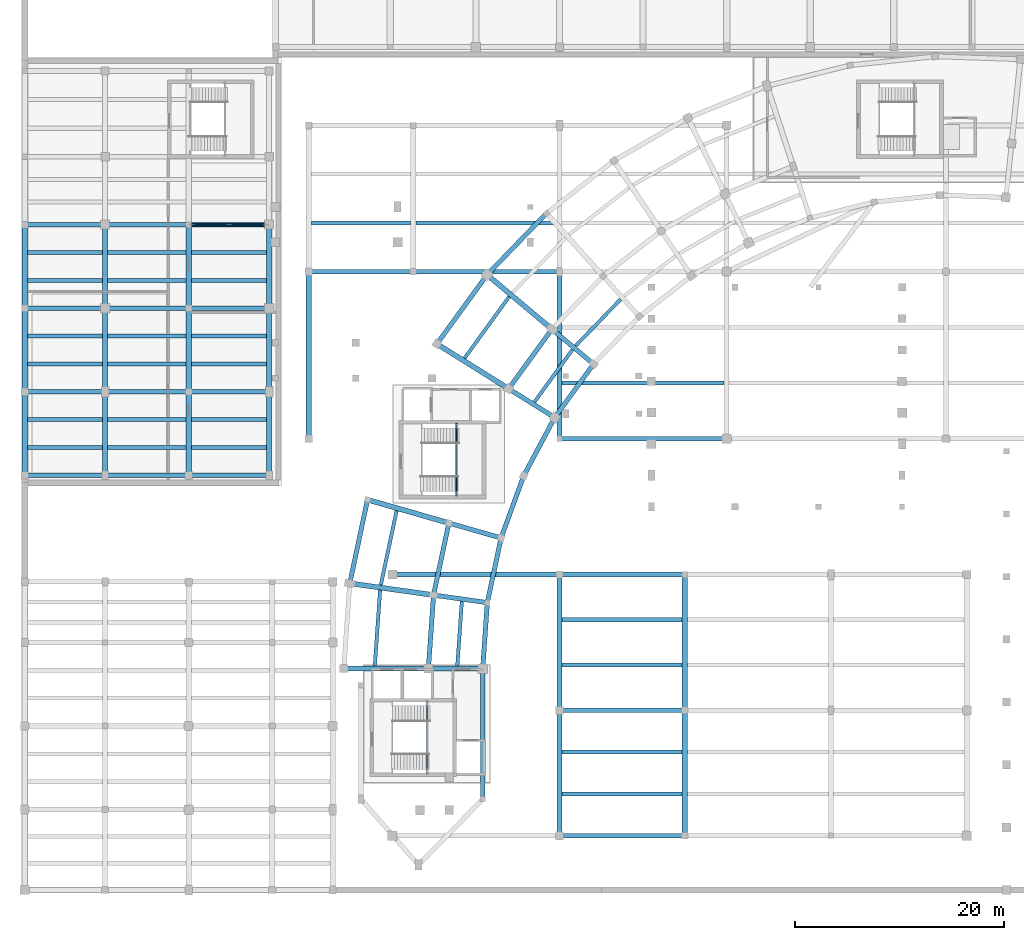
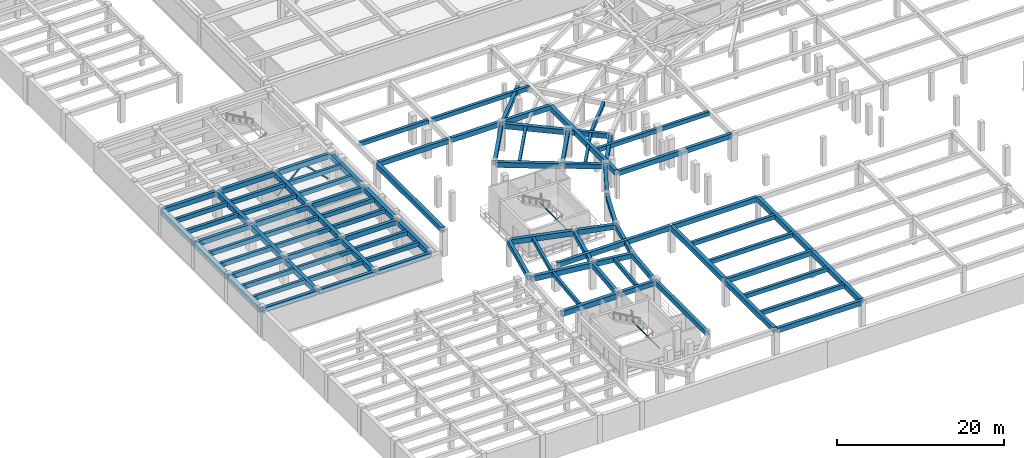
# One storey, part 4 of 35: 90 beams, 4 members.
"""IFC4 building model written with IfcOpenShell, lengths in metres."""

from ifc_helpers import new_model, si_unit, direction, frame, origin, origin_2d, place, context, subcontext, project, spatial, rectangle, hollow_rectangle, hollow_circle, extrude, material, material_profile, profile_set, type_object, element, save


model = new_model("IFC4")

# Units and contexts
model_context = context("Model", 3, precision=1e-05, world=origin(), true_north=direction((0.0, 1.0)))
body_context = subcontext(model_context, "Body", "Model", "MODEL_VIEW")
ifc_project = project(units=[si_unit("LENGTHUNIT", "METRE"), si_unit("AREAUNIT", "SQUARE_METRE"), si_unit("VOLUMEUNIT", "CUBIC_METRE"), si_unit("PLANEANGLEUNIT", "RADIAN"), si_unit("MASSUNIT", "GRAM", prefix="KILO"), si_unit("THERMODYNAMICTEMPERATUREUNIT", "KELVIN"), si_unit("POWERUNIT", "WATT")], contexts=[model_context])

# Site, building, storey
site_placement = place(None, origin())
site = spatial("IfcSite", under=ifc_project, at=site_placement, CompositionType="ELEMENT")
building_placement = place(site_placement, origin())
building = spatial("IfcBuilding", under=site, at=building_placement, Name="Solvatero Civic Police Headquarters", CompositionType="ELEMENT")
storey_placement = place(building_placement, frame((0.0, 0.0, -4.199951171875)))
storey = spatial("IfcBuildingStorey", under=building, at=storey_placement, Name="B01", CompositionType="ELEMENT", Elevation=-4.199951171875)

# Beams
ifc_material_1 = material(Name="Concrete C40/50", Category="concrete")
ifc_material_profile_1 = material_profile(ifc_material_1, rectangle(XDim=0.35009765625, YDim=0.550048828125, at=origin_2d()), Name="RC 350x550")
ifc_profile_set_1 = profile_set([ifc_material_profile_1], Name="Concrete C40/50")
beam_type_1 = type_object("IfcBeamType", Name="BM-RC-350x550", PredefinedType="BEAM", material=ifc_profile_set_1)
for number, where, z_axis, x_axis, name in (
    (1, (61.841796875, 61.342529296875, 3.625), (-0.694630534745, -0.719366679934, 0.0), (0.719366679934, -0.694630534745, 0.0), "Primary girder BM-R2-B01-ARC-CS1-B07"),
    (2, (57.236083984375, 56.52294921875, 3.625), (-0.587804529337, -0.809002988431, 0.0), (0.809002988431, -0.587804529337, 0.0), "Primary girder BM-R2-B01-ARC-CS1-B08"),
):
    element("IfcBeam", number, at=place(storey_placement, frame(where, z_axis=z_axis, x_axis=x_axis)), inside=storey, type_object=beam_type_1, Name=name, PredefinedType="BEAM", context=body_context, shape_type="SweptSolid", body=[
        extrude(rectangle(XDim=0.35009765625, YDim=0.550048828125, at=origin_2d()), origin(), (0.0, 0.0, 1.0), 6.168701171875),
    ])
for number, where, z_axis, x_axis, name in (
    (3, (51.184326171875, 61.60107421875, 3.625), (-0.587778314823, -0.809022034696, 0.0), (0.809022034696, -0.587778314823, 0.0), "Primary girder BM-R2-B01-ARC-CS2-B08"),
    (4, (40.40576171875, 41.1083984375, 3.625), (-0.207912166348, -0.978147499657, 0.0), (0.978147499657, -0.207912166348, 0.0), "Primary girder BM-R2-B01-ARC-CS2-B11"),
):
    element("IfcBeam", number, at=place(storey_placement, frame(where, z_axis=z_axis, x_axis=x_axis)), inside=storey, type_object=beam_type_1, Name=name, PredefinedType="BEAM", context=body_context, shape_type="SweptSolid", body=[
        extrude(rectangle(XDim=0.35009765625, YDim=0.550048828125, at=origin_2d()), origin(), (0.0, 0.0, 1.0), 7.27099609375),
    ])
beam_1_placement = place(storey_placement, frame((46.647705078125, 32.403076171875, 3.625), z_axis=(-0.069775957875, -0.997562687605, 0.0), x_axis=(0.997562687605, -0.069775957875, 0.0)))
element("IfcBeam", 5, at=beam_1_placement, inside=storey, type_object=beam_type_1, Name="Primary girder BM-R2-B01-ARC-CS1-B12", PredefinedType="BEAM", context=body_context, shape_type="SweptSolid", body=[
    extrude(rectangle(XDim=0.35009765625, YDim=0.550048828125, at=origin_2d()), origin(), (0.0, 0.0, 1.0), 6.168701171875),
])
beam_2_placement = place(storey_placement, frame((38.82470703125, 33.50244140625, 3.625), z_axis=(-0.069776999912, -0.997562614718, 0.0), x_axis=(0.997562614718, -0.069776999912, 0.0)))
element("IfcBeam", 6, at=beam_2_placement, inside=storey, type_object=beam_type_1, Name="Primary girder BM-R2-B01-ARC-CS2-B12", PredefinedType="BEAM", context=body_context, shape_type="SweptSolid", body=[
    extrude(rectangle(XDim=0.35009765625, YDim=0.550048828125, at=origin_2d()), origin(), (0.0, 0.0, 1.0), 7.270751953125),
])
ifc_material_profile_2 = material_profile(ifc_material_1, rectangle(XDim=0.39990234375, YDim=0.60009765625, at=origin_2d()), Name="RC 400x600")
ifc_profile_set_2 = profile_set([ifc_material_profile_2], Name="Concrete C40/50")
beam_type_2 = type_object("IfcBeamType", Name="BM-RC-400x600", PredefinedType="BEAM", material=ifc_profile_set_2)
for number, where, z_axis, x_axis, name in (
    (7, (56.25, 14.0, 3.639892578125), (1.0, 0.0, 0.0), (0.0, 1.0, 0.0), "Primary girder BM-R2-B01-SUBS-SEC-2-1-S1"),
    (8, (56.25, 18.0, 3.639892578125), (1.0, 0.0, 0.0), (0.0, 1.0, 0.0), "Primary girder BM-R2-B01-SUBS-SEC-2-1-S2"),
    (9, (56.25, 26.333251953125, 3.639892578125), (1.0, 0.0, 0.0), (0.0, 1.0, 0.0), "Primary girder BM-R2-B01-SUBS-SEC-2-2-S1"),
    (10, (56.25, 30.666748046875, 3.639892578125), (1.0, 0.0, 0.0), (0.0, 1.0, 0.0), "Primary girder BM-R2-B01-SUBS-SEC-2-2-S2"),
):
    element("IfcBeam", number, at=place(storey_placement, frame(where, z_axis=z_axis, x_axis=x_axis)), inside=storey, type_object=beam_type_2, Name=name, PredefinedType="BEAM", context=body_context, shape_type="SweptSolid", body=[
        extrude(rectangle(XDim=0.39990234375, YDim=0.60009765625, at=origin_2d()), origin(), (0.0, 0.0, 1.0), 11.5),
    ])
beam_3_placement = place(storey_placement, frame((32.25, 68.666748046875, 3.639892578125), z_axis=(1.0, 0.0, 0.0), x_axis=(0.0, 1.0, 0.0)))
element("IfcBeam", 11, at=beam_3_placement, inside=storey, type_object=beam_type_2, Name="Primary girder BM-R2-B01-SUBM-SEC-1-2-S1", PredefinedType="BEAM", context=body_context, shape_type="SweptSolid", body=[
    extrude(rectangle(XDim=0.39990234375, YDim=0.60009765625, at=origin_2d()), origin(), (0.0, 0.0, 1.0), 9.5),
])
beam_4_placement = place(storey_placement, frame((42.25, 68.666748046875, 3.639892578125), z_axis=(1.0, 0.0, 0.0), x_axis=(0.0, 1.0, 0.0)))
element("IfcBeam", 12, at=beam_4_placement, inside=storey, type_object=beam_type_2, Name="Primary girder BM-R2-B01-SUBM-SEC-2-2-S1", PredefinedType="BEAM", context=body_context, shape_type="SweptSolid", body=[
    extrude(rectangle(XDim=0.39990234375, YDim=0.60009765625, at=origin_2d()), origin(), (0.0, 0.0, 1.0), 13.5),
])
beam_5_placement = place(storey_placement, frame((56.25, 53.333251953125, 3.639892578125), z_axis=(1.0, 0.0, 0.0), x_axis=(0.0, 1.0, 0.0)))
element("IfcBeam", 13, at=beam_5_placement, inside=storey, type_object=beam_type_2, Name="Primary girder BM-R2-B01-SUBM-SEC-3-1-S1", PredefinedType="BEAM", context=body_context, shape_type="SweptSolid", body=[
    extrude(rectangle(XDim=0.39990234375, YDim=0.60009765625, at=origin_2d()), origin(), (0.0, 0.0, 1.0), 15.5),
])
for number, where, z_axis, x_axis, name in (
    (14, (5.050048828125, 47.166748046875, 3.599853515625), (1.0, 0.0, 0.0), (0.0, 1.0, 0.0), "Primary girder BM-R2-B01-V6B-SEC-1-1-S1"),
    (15, (5.050048828125, 49.833251953125, 3.599853515625), (1.0, 0.0, 0.0), (0.0, 1.0, 0.0), "Primary girder BM-R2-B01-V6B-SEC-1-1-S2"),
    (16, (5.050048828125, 55.166748046875, 3.599853515625), (1.0, 0.0, 0.0), (0.0, 1.0, 0.0), "Primary girder BM-R2-B01-V6B-SEC-1-2-S1"),
    (17, (5.050048828125, 57.833251953125, 3.599853515625), (1.0, 0.0, 0.0), (0.0, 1.0, 0.0), "Primary girder BM-R2-B01-V6B-SEC-1-2-S2"),
    (18, (5.050048828125, 63.166748046875, 3.599853515625), (1.0, 0.0, 0.0), (0.0, 1.0, 0.0), "Primary girder BM-R2-B01-V6B-SEC-1-3-S1"),
    (19, (5.050048828125, 65.833251953125, 3.599853515625), (1.0, 0.0, 0.0), (0.0, 1.0, 0.0), "Primary girder BM-R2-B01-V6B-SEC-1-3-S2"),
):
    element("IfcBeam", number, at=place(storey_placement, frame(where, z_axis=z_axis, x_axis=x_axis)), inside=storey, type_object=beam_type_2, Name=name, PredefinedType="BEAM", context=body_context, shape_type="SweptSolid", body=[
        extrude(rectangle(XDim=0.39990234375, YDim=0.60009765625, at=origin_2d()), origin(), (0.0, 0.0, 1.0), 7.199951171875),
    ])
for number, where, z_axis, x_axis, name in (
    (20, (12.75, 47.166748046875, 3.599853515625), (1.0, 0.0, 0.0), (0.0, 1.0, 0.0), "Primary girder BM-R2-B01-V6B-SEC-2-1-S1"),
    (21, (12.75, 49.833251953125, 3.599853515625), (1.0, 0.0, 0.0), (0.0, 1.0, 0.0), "Primary girder BM-R2-B01-V6B-SEC-2-1-S2"),
    (22, (12.75, 55.166748046875, 3.599853515625), (1.0, 0.0, 0.0), (0.0, 1.0, 0.0), "Primary girder BM-R2-B01-V6B-SEC-2-2-S1"),
    (23, (12.75, 57.833251953125, 3.599853515625), (1.0, 0.0, 0.0), (0.0, 1.0, 0.0), "Primary girder BM-R2-B01-V6B-SEC-2-2-S2"),
    (24, (12.75, 63.166748046875, 3.599853515625), (1.0, 0.0, 0.0), (0.0, 1.0, 0.0), "Primary girder BM-R2-B01-V6B-SEC-2-3-S1"),
    (25, (12.75, 65.833251953125, 3.599853515625), (1.0, 0.0, 0.0), (0.0, 1.0, 0.0), "Primary girder BM-R2-B01-V6B-SEC-2-3-S2"),
):
    element("IfcBeam", number, at=place(storey_placement, frame(where, z_axis=z_axis, x_axis=x_axis)), inside=storey, type_object=beam_type_2, Name=name, PredefinedType="BEAM", context=body_context, shape_type="SweptSolid", body=[
        extrude(rectangle(XDim=0.39990234375, YDim=0.60009765625, at=origin_2d()), origin(), (0.0, 0.0, 1.0), 7.5),
    ])
for number, where, z_axis, x_axis, name in (
    (26, (20.75, 47.166748046875, 3.599853515625), (1.0, 0.0, 0.0), (0.0, 1.0, 0.0), "Primary girder BM-R2-B01-V6B-SEC-3-1-S1"),
    (27, (20.75, 49.833251953125, 3.599853515625), (1.0, 0.0, 0.0), (0.0, 1.0, 0.0), "Primary girder BM-R2-B01-V6B-SEC-3-1-S2"),
    (28, (20.75, 55.166748046875, 3.599853515625), (1.0, 0.0, 0.0), (0.0, 1.0, 0.0), "Primary girder BM-R2-B01-V6B-SEC-3-2-S1"),
    (29, (20.75, 57.833251953125, 3.599853515625), (1.0, 0.0, 0.0), (0.0, 1.0, 0.0), "Primary girder BM-R2-B01-V6B-SEC-3-2-S2"),
    (30, (20.75, 63.166748046875, 3.599853515625), (1.0, 0.0, 0.0), (0.0, 1.0, 0.0), "Primary girder BM-R2-B01-V6B-SEC-3-3-S1"),
    (31, (20.75, 65.833251953125, 3.599853515625), (1.0, 0.0, 0.0), (0.0, 1.0, 0.0), "Primary girder BM-R2-B01-V6B-SEC-3-3-S2"),
):
    element("IfcBeam", number, at=place(storey_placement, frame(where, z_axis=z_axis, x_axis=x_axis)), inside=storey, type_object=beam_type_2, Name=name, PredefinedType="BEAM", context=body_context, shape_type="SweptSolid", body=[
        extrude(rectangle(XDim=0.39990234375, YDim=0.60009765625, at=origin_2d()), origin(), (0.0, 0.0, 1.0), 7.199951171875),
    ])
ifc_material_profile_3 = material_profile(ifc_material_1, rectangle(XDim=0.449951171875, YDim=0.699951171875, at=origin_2d()), Name="RC 450x700")
ifc_profile_set_3 = profile_set([ifc_material_profile_3], Name="Concrete C40/50")
beam_type_3 = type_object("IfcBeamType", Name="BM-RC-450x700", PredefinedType="BEAM", material=ifc_profile_set_3)
for number, where, z_axis, x_axis, name in (
    (32, (56.159912109375, 10.0, 3.58984375), (1.0, 0.0, 0.0), (0.0, 1.0, 0.0), "Primary girder BM-R2-B01-SUBS-GX-2-1"),
    (33, (56.159912109375, 22.0, 3.58984375), (1.0, 0.0, 0.0), (0.0, 1.0, 0.0), "Primary girder BM-R2-B01-SUBS-GX-2-2"),
):
    element("IfcBeam", number, at=place(storey_placement, frame(where, z_axis=z_axis, x_axis=x_axis)), inside=storey, type_object=beam_type_3, Name=name, PredefinedType="BEAM", context=body_context, shape_type="SweptSolid", body=[
        extrude(rectangle(XDim=0.449951171875, YDim=0.699951171875, at=origin_2d()), origin(), (0.0, 0.0, 1.0), 11.68017578125),
    ])
beam_6_placement = place(storey_placement, frame((40.159912109375, 35.0, 3.58984375), z_axis=(1.0, 0.0, 0.0), x_axis=(0.0, 1.0, 0.0)))
element("IfcBeam", 34, at=beam_6_placement, inside=storey, type_object=beam_type_3, Name="Primary girder BM-R2-B01-SUBS-GX-1-3", PredefinedType="BEAM", context=body_context, shape_type="SweptSolid", body=[
    extrude(rectangle(XDim=0.449951171875, YDim=0.699951171875, at=origin_2d()), origin(), (0.0, 0.0, 1.0), 15.68017578125),
])
beam_7_placement = place(storey_placement, frame((56.159912109375, 35.0, 3.58984375), z_axis=(1.0, 0.0, 0.0), x_axis=(0.0, 1.0, 0.0)))
element("IfcBeam", 35, at=beam_7_placement, inside=storey, type_object=beam_type_3, Name="Primary girder BM-R2-B01-SUBS-GX-2-3", PredefinedType="BEAM", context=body_context, shape_type="SweptSolid", body=[
    extrude(rectangle(XDim=0.449951171875, YDim=0.699951171875, at=origin_2d()), origin(), (0.0, 0.0, 1.0), 11.68017578125),
])
beam_8_placement = place(storey_placement, frame((56.159912109375, 48.0, 3.58984375), z_axis=(1.0, 0.0, 0.0), x_axis=(0.0, 1.0, 0.0)))
element("IfcBeam", 36, at=beam_8_placement, inside=storey, type_object=beam_type_3, Name="Primary girder BM-R2-B01-SUBM-GX-3-1", PredefinedType="BEAM", context=body_context, shape_type="SweptSolid", body=[
    extrude(rectangle(XDim=0.449951171875, YDim=0.699951171875, at=origin_2d()), origin(), (0.0, 0.0, 1.0), 15.68017578125),
])
beam_9_placement = place(storey_placement, frame((32.159912109375, 64.0, 3.58984375), z_axis=(1.0, 0.0, 0.0), x_axis=(0.0, 1.0, 0.0)))
element("IfcBeam", 37, at=beam_9_placement, inside=storey, type_object=beam_type_3, Name="Primary girder BM-R2-B01-SUBM-GX-1-2", PredefinedType="BEAM", context=body_context, shape_type="SweptSolid", body=[
    extrude(rectangle(XDim=0.449951171875, YDim=0.699951171875, at=origin_2d()), origin(), (0.0, 0.0, 1.0), 9.68017578125),
])
beam_10_placement = place(storey_placement, frame((42.159912109375, 64.0, 3.58984375), z_axis=(1.0, 0.0, 0.0), x_axis=(0.0, 1.0, 0.0)))
element("IfcBeam", 38, at=beam_10_placement, inside=storey, type_object=beam_type_3, Name="Primary girder BM-R2-B01-SUBM-GX-2-2", PredefinedType="BEAM", context=body_context, shape_type="SweptSolid", body=[
    extrude(rectangle(XDim=0.449951171875, YDim=0.699951171875, at=origin_2d()), origin(), (0.0, 0.0, 1.0), 13.68017578125),
])
beam_11_placement = place(storey_placement, frame((4.9599609375, 44.5, 3.550048828125), z_axis=(1.0, 0.0, 0.0), x_axis=(0.0, 1.0, 0.0)))
element("IfcBeam", 39, at=beam_11_placement, inside=storey, type_object=beam_type_3, Name="Primary girder BM-R2-B01-V6B-GX-1-1", PredefinedType="BEAM", context=body_context, shape_type="SweptSolid", body=[
    extrude(rectangle(XDim=0.449951171875, YDim=0.699951171875, at=origin_2d()), origin(), (0.0, 0.0, 1.0), 7.380126953125),
])
beam_12_placement = place(storey_placement, frame((12.659912109375, 44.5, 3.550048828125), z_axis=(1.0, 0.0, 0.0), x_axis=(0.0, 1.0, 0.0)))
element("IfcBeam", 40, at=beam_12_placement, inside=storey, type_object=beam_type_3, Name="Primary girder BM-R2-B01-V6B-GX-2-1", PredefinedType="BEAM", context=body_context, shape_type="SweptSolid", body=[
    extrude(rectangle(XDim=0.449951171875, YDim=0.699951171875, at=origin_2d()), origin(), (0.0, 0.0, 1.0), 7.68017578125),
])
for number, where, z_axis, x_axis, name in (
    (41, (20.659912109375, 44.5, 3.550048828125), (1.0, 0.0, 0.0), (0.0, 1.0, 0.0), "Primary girder BM-R2-B01-V6B-GX-3-1"),
    (42, (4.9599609375, 52.5, 3.550048828125), (1.0, 0.0, 0.0), (0.0, 1.0, 0.0), "Primary girder BM-R2-B01-V6B-GX-1-2"),
):
    element("IfcBeam", number, at=place(storey_placement, frame(where, z_axis=z_axis, x_axis=x_axis)), inside=storey, type_object=beam_type_3, Name=name, PredefinedType="BEAM", context=body_context, shape_type="SweptSolid", body=[
        extrude(rectangle(XDim=0.449951171875, YDim=0.699951171875, at=origin_2d()), origin(), (0.0, 0.0, 1.0), 7.380126953125),
    ])
beam_13_placement = place(storey_placement, frame((12.659912109375, 52.5, 3.550048828125), z_axis=(1.0, 0.0, 0.0), x_axis=(0.0, 1.0, 0.0)))
element("IfcBeam", 43, at=beam_13_placement, inside=storey, type_object=beam_type_3, Name="Primary girder BM-R2-B01-V6B-GX-2-2", PredefinedType="BEAM", context=body_context, shape_type="SweptSolid", body=[
    extrude(rectangle(XDim=0.449951171875, YDim=0.699951171875, at=origin_2d()), origin(), (0.0, 0.0, 1.0), 7.68017578125),
])
for number, where, z_axis, x_axis, name in (
    (44, (20.659912109375, 52.5, 3.550048828125), (1.0, 0.0, 0.0), (0.0, 1.0, 0.0), "Primary girder BM-R2-B01-V6B-GX-3-2"),
    (45, (4.9599609375, 60.5, 3.550048828125), (1.0, 0.0, 0.0), (0.0, 1.0, 0.0), "Primary girder BM-R2-B01-V6B-GX-1-3"),
):
    element("IfcBeam", number, at=place(storey_placement, frame(where, z_axis=z_axis, x_axis=x_axis)), inside=storey, type_object=beam_type_3, Name=name, PredefinedType="BEAM", context=body_context, shape_type="SweptSolid", body=[
        extrude(rectangle(XDim=0.449951171875, YDim=0.699951171875, at=origin_2d()), origin(), (0.0, 0.0, 1.0), 7.380126953125),
    ])
beam_14_placement = place(storey_placement, frame((12.659912109375, 60.5, 3.550048828125), z_axis=(1.0, 0.0, 0.0), x_axis=(0.0, 1.0, 0.0)))
element("IfcBeam", 46, at=beam_14_placement, inside=storey, type_object=beam_type_3, Name="Primary girder BM-R2-B01-V6B-GX-2-3", PredefinedType="BEAM", context=body_context, shape_type="SweptSolid", body=[
    extrude(rectangle(XDim=0.449951171875, YDim=0.699951171875, at=origin_2d()), origin(), (0.0, 0.0, 1.0), 7.68017578125),
])
for number, where, z_axis, x_axis, name in (
    (47, (20.659912109375, 60.5, 3.550048828125), (1.0, 0.0, 0.0), (0.0, 1.0, 0.0), "Primary girder BM-R2-B01-V6B-GX-3-3"),
    (48, (4.9599609375, 68.5, 3.550048828125), (1.0, 0.0, 0.0), (0.0, 1.0, 0.0), "Primary girder BM-R2-B01-V6B-GX-1-4"),
):
    element("IfcBeam", number, at=place(storey_placement, frame(where, z_axis=z_axis, x_axis=x_axis)), inside=storey, type_object=beam_type_3, Name=name, PredefinedType="BEAM", context=body_context, shape_type="SweptSolid", body=[
        extrude(rectangle(XDim=0.449951171875, YDim=0.699951171875, at=origin_2d()), origin(), (0.0, 0.0, 1.0), 7.380126953125),
    ])
beam_15_placement = place(storey_placement, frame((12.659912109375, 68.5, 3.550048828125), z_axis=(1.0, 0.0, 0.0), x_axis=(0.0, 1.0, 0.0)))
element("IfcBeam", 49, at=beam_15_placement, inside=storey, type_object=beam_type_3, Name="Primary girder BM-R2-B01-V6B-GX-2-4", PredefinedType="BEAM", context=body_context, shape_type="SweptSolid", body=[
    extrude(rectangle(XDim=0.449951171875, YDim=0.699951171875, at=origin_2d()), origin(), (0.0, 0.0, 1.0), 7.68017578125),
])
beam_16_placement = place(storey_placement, frame((20.659912109375, 68.5, 3.550048828125), z_axis=(1.0, 0.0, 0.0), x_axis=(0.0, 1.0, 0.0)))
element("IfcBeam", 50, at=beam_16_placement, inside=storey, type_object=beam_type_3, Name="Primary girder BM-R2-B01-V6B-GX-3-4", PredefinedType="BEAM", context=body_context, shape_type="SweptSolid", body=[
    extrude(rectangle(XDim=0.449951171875, YDim=0.699951171875, at=origin_2d()), origin(), (0.0, 0.0, 1.0), 7.380126953125),
])
for number, where, z_axis, x_axis, name in (
    (51, (59.13720703125, 55.253173828125, 3.550048828125), (-0.766006367424, 0.642832983804, 0.0), (-0.642832983804, -0.766006367424, 0.0), "Primary girder BM-R2-B01-ARC-RAD1-S07"),
    (52, (55.4052734375, 50.11669921875, 3.550048828125), (-0.848051702079, 0.529913493506, 0.0), (-0.529913493506, -0.848051702079, 0.0), "Primary girder BM-R2-B01-ARC-RAD1-S08"),
    (53, (50.2529296875, 38.544189453125, 3.550048828125), (-0.96125541042, 0.275659275081, 0.0), (-0.275659275081, -0.96125541042, 0.0), "Primary girder BM-R2-B01-ARC-RAD1-S10"),
):
    element("IfcBeam", number, at=place(storey_placement, frame(where, z_axis=z_axis, x_axis=x_axis)), inside=storey, type_object=beam_type_3, Name=name, PredefinedType="BEAM", context=body_context, shape_type="SweptSolid", body=[
        extrude(rectangle(XDim=0.449951171875, YDim=0.699951171875, at=origin_2d()), origin(), (0.0, 0.0, 1.0), 4.8798828125),
    ])
beam_17_placement = place(storey_placement, frame((48.932861328125, 32.333740234375, 3.550048828125), z_axis=(-0.990267139855, 0.139179710169, 0.0), x_axis=(-0.139179710169, -0.990267139855, 0.0)))
element("IfcBeam", 54, at=beam_17_placement, inside=storey, type_object=beam_type_3, Name="Primary girder BM-R2-B01-ARC-RAD1-S11", PredefinedType="BEAM", context=body_context, shape_type="SweptSolid", body=[
    extrude(rectangle(XDim=0.449951171875, YDim=0.699951171875, at=origin_2d()), origin(), (0.0, 0.0, 1.0), 4.880126953125),
])
beam_18_placement = place(storey_placement, frame((48.489990234375, 26.0, 3.550048828125), z_axis=(-1.0, 0.0, 0.0), x_axis=(0.0, -1.0, 0.0)))
element("IfcBeam", 55, at=beam_18_placement, inside=storey, type_object=beam_type_3, Name="Primary girder BM-R2-B01-ARC-RAD1-S12", PredefinedType="BEAM", context=body_context, shape_type="SweptSolid", body=[
    extrude(rectangle(XDim=0.449951171875, YDim=0.699951171875, at=origin_2d()), origin(), (0.0, 0.0, 1.0), 4.8798828125),
])
beam_19_placement = place(storey_placement, frame((54.644287109375, 69.47021484375, 3.550048828125), z_axis=(-0.69467153859, -0.719327083789, 0.0), x_axis=(0.719327083789, -0.69467153859, 0.0)))
element("IfcBeam", 56, at=beam_19_placement, inside=storey, type_object=beam_type_3, Name="Primary girder BM-R2-B01-ARC-COUT-B07", PredefinedType="BEAM", context=body_context, shape_type="SweptSolid", body=[
    extrude(rectangle(XDim=0.449951171875, YDim=0.699951171875, at=origin_2d()), origin(), (0.0, 0.0, 1.0), 7.8623046875),
])
beam_20_placement = place(storey_placement, frame((59.166015625, 55.02099609375, 3.550048828125), z_axis=(-0.587797074341, -0.809008405022, 0.0), x_axis=(0.809008405022, -0.587797074341, 0.0)))
element("IfcBeam", 57, at=beam_20_placement, inside=storey, type_object=beam_type_3, Name="Primary girder BM-R2-B01-ARC-CIN-B08", PredefinedType="BEAM", context=body_context, shape_type="SweptSolid", body=[
    extrude(rectangle(XDim=0.449951171875, YDim=0.699951171875, at=origin_2d()), origin(), (0.0, 0.0, 1.0), 6.007080078125),
])
beam_21_placement = place(storey_placement, frame((55.1826171875, 58.363525390625, 3.550048828125), z_axis=(-0.587805098248, -0.809002575072, 0.0), x_axis=(0.809002575072, -0.587805098248, 0.0)))
element("IfcBeam", 58, at=beam_21_placement, inside=storey, type_object=beam_type_3, Name="Primary girder BM-R2-B01-ARC-CMID-B08", PredefinedType="BEAM", context=body_context, shape_type="SweptSolid", body=[
    extrude(rectangle(XDim=0.449951171875, YDim=0.699951171875, at=origin_2d()), origin(), (0.0, 0.0, 1.0), 6.732666015625),
])
beam_22_placement = place(storey_placement, frame((48.9775390625, 63.570068359375, 3.550048828125), z_axis=(-0.587798685383, -0.809007234493, 0.0), x_axis=(0.809007234493, -0.587798685383, 0.0)))
element("IfcBeam", 59, at=beam_22_placement, inside=storey, type_object=beam_type_3, Name="Primary girder BM-R2-B01-ARC-COUT-B08", PredefinedType="BEAM", context=body_context, shape_type="SweptSolid", body=[
    extrude(rectangle(XDim=0.449951171875, YDim=0.699951171875, at=origin_2d()), origin(), (0.0, 0.0, 1.0), 7.862548828125),
])
beam_23_placement = place(storey_placement, frame((55.4658203125, 49.890380859375, 3.550048828125), z_axis=(-0.469492983481, -0.88293620294, 0.0), x_axis=(0.88293620294, -0.469492983481, 0.0)))
element("IfcBeam", 60, at=beam_23_placement, inside=storey, type_object=beam_type_3, Name="Primary girder BM-R2-B01-ARC-CIN-B09", PredefinedType="BEAM", context=body_context, shape_type="SweptSolid", body=[
    extrude(rectangle(XDim=0.449951171875, YDim=0.699951171875, at=origin_2d()), origin(), (0.0, 0.0, 1.0), 6.006591796875),
])
beam_24_placement = place(storey_placement, frame((52.51611328125, 44.295166015625, 3.550048828125), z_axis=(-0.342056325961, -0.939679450595, 0.0), x_axis=(0.939679450595, -0.342056325961, 0.0)))
element("IfcBeam", 61, at=beam_24_placement, inside=storey, type_object=beam_type_3, Name="Primary girder BM-R2-B01-ARC-CIN-B10", PredefinedType="BEAM", context=body_context, shape_type="SweptSolid", body=[
    extrude(rectangle(XDim=0.449951171875, YDim=0.699951171875, at=origin_2d()), origin(), (0.0, 0.0, 1.0), 6.0068359375),
])
beam_25_placement = place(storey_placement, frame((50.37353515625, 38.34375, 3.550048828125), z_axis=(-0.207927292906, -0.978144284278, 0.0), x_axis=(0.978144284278, -0.207927292906, 0.0)))
element("IfcBeam", 62, at=beam_25_placement, inside=storey, type_object=beam_type_3, Name="Primary girder BM-R2-B01-ARC-CIN-B11", PredefinedType="BEAM", context=body_context, shape_type="SweptSolid", body=[
    extrude(rectangle(XDim=0.449951171875, YDim=0.699951171875, at=origin_2d()), origin(), (0.0, 0.0, 1.0), 6.007080078125),
])
beam_26_placement = place(storey_placement, frame((45.375, 39.777099609375, 3.550048828125), z_axis=(-0.207929014162, -0.978143918383, 0.0), x_axis=(0.978143918383, -0.207929014162, 0.0)))
element("IfcBeam", 63, at=beam_26_placement, inside=storey, type_object=beam_type_3, Name="Primary girder BM-R2-B01-ARC-CMID-B11", PredefinedType="BEAM", context=body_context, shape_type="SweptSolid", body=[
    extrude(rectangle(XDim=0.449951171875, YDim=0.699951171875, at=origin_2d()), origin(), (0.0, 0.0, 1.0), 6.732666015625),
])
beam_27_placement = place(storey_placement, frame((37.588623046875, 42.009521484375, 3.550048828125), z_axis=(-0.20789589415, -0.978150958286, 0.0), x_axis=(0.978150958286, -0.20789589415, 0.0)))
element("IfcBeam", 64, at=beam_27_placement, inside=storey, type_object=beam_type_3, Name="Primary girder BM-R2-B01-ARC-COUT-B11", PredefinedType="BEAM", context=body_context, shape_type="SweptSolid", body=[
    extrude(rectangle(XDim=0.449951171875, YDim=0.699951171875, at=origin_2d()), origin(), (0.0, 0.0, 1.0), 7.8623046875),
])
beam_28_placement = place(storey_placement, frame((49.080078125, 32.15185546875, 3.550048828125), z_axis=(-0.06974500028, -0.997564852496, 0.0), x_axis=(0.997564852496, -0.06974500028, 0.0)))
element("IfcBeam", 65, at=beam_28_placement, inside=storey, type_object=beam_type_3, Name="Primary girder BM-R2-B01-ARC-CIN-B12", PredefinedType="BEAM", context=body_context, shape_type="SweptSolid", body=[
    extrude(rectangle(XDim=0.449951171875, YDim=0.699951171875, at=origin_2d()), origin(), (0.0, 0.0, 1.0), 6.0068359375),
])
beam_29_placement = place(storey_placement, frame((43.9306640625, 32.87548828125, 3.550048828125), z_axis=(-0.069736742819, -0.997565429784, 0.0), x_axis=(0.997565429784, -0.069736742819, 0.0)))
element("IfcBeam", 66, at=beam_29_placement, inside=storey, type_object=beam_type_3, Name="Primary girder BM-R2-B01-ARC-CMID-B12", PredefinedType="BEAM", context=body_context, shape_type="SweptSolid", body=[
    extrude(rectangle(XDim=0.449951171875, YDim=0.699951171875, at=origin_2d()), origin(), (0.0, 0.0, 1.0), 6.732177734375),
])
beam_30_placement = place(storey_placement, frame((48.64990234375, 13.659912109375, 3.550048828125), z_axis=(0.0, 1.0, 0.0), x_axis=(-1.0, 0.0, 0.0)))
element("IfcBeam", 67, at=beam_30_placement, inside=storey, type_object=beam_type_3, Name="Primary girder BM-R2-B01-PROW-E", PredefinedType="BEAM", context=body_context, shape_type="SweptSolid", body=[
    extrude(rectangle(XDim=0.449951171875, YDim=0.699951171875, at=origin_2d()), origin(), (0.0, 0.0, 1.0), 12.18017578125),
])
ifc_material_profile_4 = material_profile(ifc_material_1, rectangle(XDim=0.5, YDim=0.75, at=origin_2d()), Name="RC 500x750")
ifc_profile_set_4 = profile_set([ifc_material_profile_4], Name="Concrete C40/50")
beam_type_4 = type_object("IfcBeamType", Name="BM-RC-500x750", PredefinedType="BEAM", material=ifc_profile_set_4)
beam_31_placement = place(storey_placement, frame((56.0, 10.159912109375, 3.56494140625), z_axis=(0.0, 1.0, 0.0), x_axis=(-1.0, 0.0, 0.0)))
element("IfcBeam", 68, at=beam_31_placement, inside=storey, type_object=beam_type_4, Name="Primary girder BM-R2-B01-SUBS-GY-2-1", PredefinedType="BEAM", context=body_context, shape_type="SweptSolid", body=[
    extrude(rectangle(XDim=0.5, YDim=0.75, at=origin_2d()), origin(), (0.0, 0.0, 1.0), 11.68017578125),
])
beam_32_placement = place(storey_placement, frame((56.0, 22.159912109375, 3.56494140625), z_axis=(0.0, 1.0, 0.0), x_axis=(-1.0, 0.0, 0.0)))
element("IfcBeam", 69, at=beam_32_placement, inside=storey, type_object=beam_type_4, Name="Primary girder BM-R2-B01-SUBS-GY-2-2", PredefinedType="BEAM", context=body_context, shape_type="SweptSolid", body=[
    extrude(rectangle(XDim=0.5, YDim=0.75, at=origin_2d()), origin(), (0.0, 0.0, 1.0), 12.68017578125),
])
beam_33_placement = place(storey_placement, frame((68.0, 10.159912109375, 3.56494140625), z_axis=(0.0, 1.0, 0.0), x_axis=(-1.0, 0.0, 0.0)))
element("IfcBeam", 70, at=beam_33_placement, inside=storey, type_object=beam_type_4, Name="Primary girder BM-R2-B01-SUBS-GY-3-1", PredefinedType="BEAM", context=body_context, shape_type="SweptSolid", body=[
    extrude(rectangle(XDim=0.5, YDim=0.75, at=origin_2d()), origin(), (0.0, 0.0, 1.0), 11.68017578125),
])
beam_34_placement = place(storey_placement, frame((68.0, 22.159912109375, 3.56494140625), z_axis=(0.0, 1.0, 0.0), x_axis=(-1.0, 0.0, 0.0)))
element("IfcBeam", 71, at=beam_34_placement, inside=storey, type_object=beam_type_4, Name="Primary girder BM-R2-B01-SUBS-GY-3-2", PredefinedType="BEAM", context=body_context, shape_type="SweptSolid", body=[
    extrude(rectangle(XDim=0.5, YDim=0.75, at=origin_2d()), origin(), (0.0, 0.0, 1.0), 12.68017578125),
])
for number, where, z_axis, x_axis, name in (
    (72, (32.0, 48.159912109375, 3.56494140625), (0.0, 1.0, 0.0), (-1.0, 0.0, 0.0), "Primary girder BM-R2-B01-SUBM-GY-1-1"),
    (73, (56.0, 48.159912109375, 3.56494140625), (0.0, 1.0, 0.0), (-1.0, 0.0, 0.0), "Primary girder BM-R2-B01-SUBM-GY-3-1"),
):
    element("IfcBeam", number, at=place(storey_placement, frame(where, z_axis=z_axis, x_axis=x_axis)), inside=storey, type_object=beam_type_4, Name=name, PredefinedType="BEAM", context=body_context, shape_type="SweptSolid", body=[
        extrude(rectangle(XDim=0.5, YDim=0.75, at=origin_2d()), origin(), (0.0, 0.0, 1.0), 15.68017578125),
    ])
for number, where, z_axis, x_axis, name in (
    (74, (4.800048828125, 44.659912109375, 3.52490234375), (0.0, 1.0, 0.0), (-1.0, 0.0, 0.0), "Primary girder BM-R2-B01-V6B-GY-1-1"),
    (75, (4.800048828125, 52.659912109375, 3.52490234375), (0.0, 1.0, 0.0), (-1.0, 0.0, 0.0), "Primary girder BM-R2-B01-V6B-GY-1-2"),
    (76, (4.800048828125, 60.659912109375, 3.52490234375), (0.0, 1.0, 0.0), (-1.0, 0.0, 0.0), "Primary girder BM-R2-B01-V6B-GY-1-3"),
    (77, (12.5, 44.659912109375, 3.52490234375), (0.0, 1.0, 0.0), (-1.0, 0.0, 0.0), "Primary girder BM-R2-B01-V6B-GY-2-1"),
    (78, (12.5, 52.659912109375, 3.52490234375), (0.0, 1.0, 0.0), (-1.0, 0.0, 0.0), "Primary girder BM-R2-B01-V6B-GY-2-2"),
    (79, (12.5, 60.659912109375, 3.52490234375), (0.0, 1.0, 0.0), (-1.0, 0.0, 0.0), "Primary girder BM-R2-B01-V6B-GY-2-3"),
    (80, (20.5, 44.659912109375, 3.52490234375), (0.0, 1.0, 0.0), (-1.0, 0.0, 0.0), "Primary girder BM-R2-B01-V6B-GY-3-1"),
    (81, (20.5, 52.659912109375, 3.52490234375), (0.0, 1.0, 0.0), (-1.0, 0.0, 0.0), "Primary girder BM-R2-B01-V6B-GY-3-2"),
    (82, (20.5, 60.659912109375, 3.52490234375), (0.0, 1.0, 0.0), (-1.0, 0.0, 0.0), "Primary girder BM-R2-B01-V6B-GY-3-3"),
    (83, (28.199951171875, 44.659912109375, 3.52490234375), (0.0, 1.0, 0.0), (-1.0, 0.0, 0.0), "Primary girder BM-R2-B01-V6B-GY-4-1"),
    (84, (28.199951171875, 52.659912109375, 3.52490234375), (0.0, 1.0, 0.0), (-1.0, 0.0, 0.0), "Primary girder BM-R2-B01-V6B-GY-4-2"),
    (85, (28.199951171875, 60.659912109375, 3.52490234375), (0.0, 1.0, 0.0), (-1.0, 0.0, 0.0), "Primary girder BM-R2-B01-V6B-GY-4-3"),
):
    element("IfcBeam", number, at=place(storey_placement, frame(where, z_axis=z_axis, x_axis=x_axis)), inside=storey, type_object=beam_type_4, Name=name, PredefinedType="BEAM", context=body_context, shape_type="SweptSolid", body=[
        extrude(rectangle(XDim=0.5, YDim=0.75, at=origin_2d()), origin(), (0.0, 0.0, 1.0), 7.68017578125),
    ])
for number, where, z_axis, x_axis, name in (
    (86, (55.15380859375, 58.595703125, 3.52490234375), (-0.766033025498, 0.642801216431, 0.0), (-0.642801216431, -0.766033025498, 0.0), "Primary girder BM-R2-B01-ARC-RAD2-S07"),
    (87, (50.99560546875, 52.872314453125, 3.52490234375), (-0.848049425076, 0.529917137512, 0.0), (-0.529917137512, -0.848049425076, 0.0), "Primary girder BM-R2-B01-ARC-RAD2-S08"),
    (88, (45.25439453125, 39.9775390625, 3.52490234375), (-0.961258242424, 0.275649399368, 0.0), (-0.275649399368, -0.961258242424, 0.0), "Primary girder BM-R2-B01-ARC-RAD2-S10"),
    (89, (43.783447265625, 33.0576171875, 3.52490234375), (-0.990272596816, 0.139140878229, 0.0), (-0.139140878229, -0.990272596816, 0.0), "Primary girder BM-R2-B01-ARC-RAD2-S11"),
    (90, (43.2900390625, 26.0, 3.52490234375), (-1.0, 0.0, 0.0), (0.0, -1.0, 0.0), "Primary girder BM-R2-B01-ARC-RAD2-S12"),
):
    element("IfcBeam", number, at=place(storey_placement, frame(where, z_axis=z_axis, x_axis=x_axis)), inside=storey, type_object=beam_type_4, Name=name, PredefinedType="BEAM", context=body_context, shape_type="SweptSolid", body=[
        extrude(rectangle(XDim=0.5, YDim=0.75, at=origin_2d()), origin(), (0.0, 0.0, 1.0), 7.780029296875),
    ])

# Members
ifc_material_2 = material(Name="Steel S355", Category="steel")
ifc_material_profile_5 = material_profile(ifc_material_2, hollow_circle(Radius=0.109619140625, WallThickness=0.012451171875, at=origin_2d()), Name="CHS 219.1x12.5")
ifc_profile_set_5 = profile_set([ifc_material_profile_5], Name="Steel S355")
member_type_1 = type_object("IfcMemberType", Name="MB-BR-CHS219", PredefinedType="BRACE", material=ifc_profile_set_5)
member_1_placement = place(storey_placement, frame((20.800048828125, 68.5, 0.119873046875), z_axis=(0.719144055871, 0.0, 0.694861012653), x_axis=(0.0, 1.0, 0.0)))
element("IfcMember", 91, at=member_1_placement, inside=storey, type_object=member_type_1, Name="Chevron Brace BR-V6-INT2 Left B01", PredefinedType="BRACE", context=body_context, shape_type="SweptSolid", body=[
    extrude(hollow_circle(Radius=0.109619140625, WallThickness=0.012451171875, at=origin_2d()), origin(), (0.0, 0.0, 1.0), 4.9365234375),
])
member_2_placement = place(storey_placement, frame((27.89990234375, 68.5, 0.119873046875), z_axis=(-0.719120175522, 0.0, 0.69488572669), x_axis=(0.0, -1.0, 0.0)))
element("IfcMember", 92, at=member_2_placement, inside=storey, type_object=member_type_1, Name="Chevron Brace BR-V6-INT2 Right B01", PredefinedType="BRACE", context=body_context, shape_type="SweptSolid", body=[
    extrude(hollow_circle(Radius=0.109619140625, WallThickness=0.012451171875, at=origin_2d()), origin(), (0.0, 0.0, 1.0), 4.936279296875),
])
ifc_material_profile_6 = material_profile(ifc_material_2, hollow_rectangle(XDim=0.10009765625, YDim=0.14990234375, WallThickness=0.00634765625, InnerFilletRadius=0.00634765625, OuterFilletRadius=0.0126953125, at=origin_2d()), Name="RHS 150x100x6.3")
ifc_profile_set_6 = profile_set([ifc_material_profile_6], Name="Steel S355")
member_type_2 = type_object("IfcMemberType", Name="MB-BR-RHS150", PredefinedType="BRACE", material=ifc_profile_set_6)
for number, where, z_axis, x_axis, name in (
    (93, (43.340087890625, 15.8798828125, 1.824951171875), (0.0, 1.0, 0.0), (-1.0, 0.0, 0.0), "ST-C1 B01 Landing Support Beam"),
    (94, (46.139892578125, 42.47998046875, 1.824951171875), (0.0, 1.0, 0.0), (-1.0, 0.0, 0.0), "ST-C2 B01 Landing Support Beam"),
):
    element("IfcMember", number, at=place(storey_placement, frame(where, z_axis=z_axis, x_axis=x_axis)), inside=storey, type_object=member_type_2, Name=name, PredefinedType="BRACE", context=body_context, shape_type="SweptSolid", body=[
        extrude(hollow_rectangle(XDim=0.10009765625, YDim=0.14990234375, WallThickness=0.00634765625, InnerFilletRadius=0.00634765625, OuterFilletRadius=0.0126953125, at=origin_2d()), origin(), (0.0, 0.0, 1.0), 7.0400390625),
    ])

save(model, "model.ifc")
